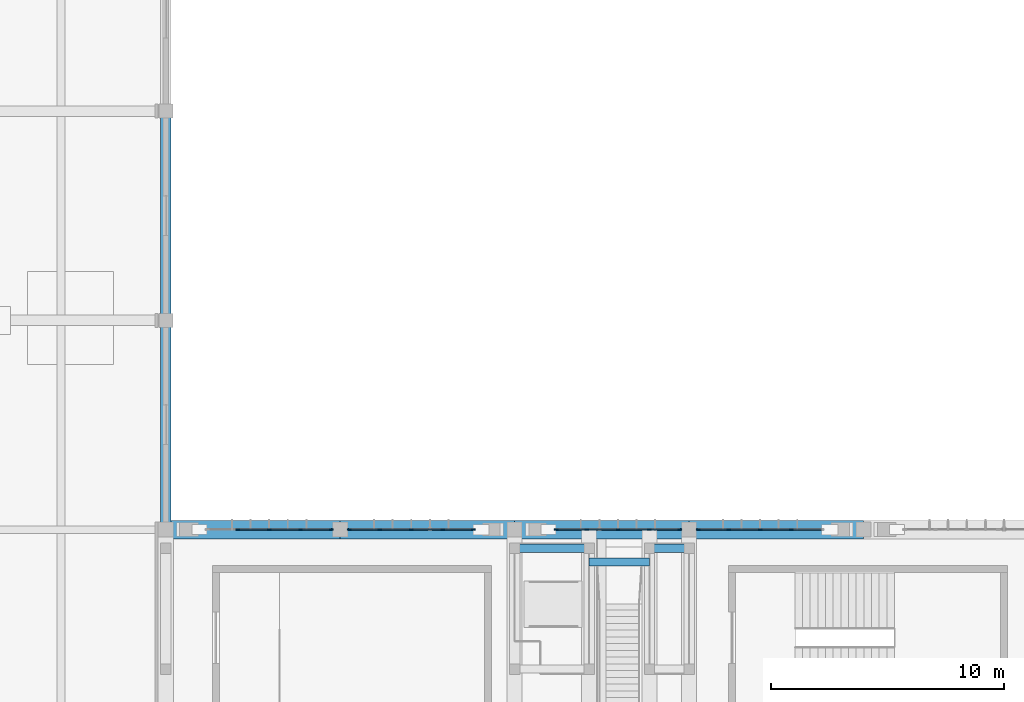
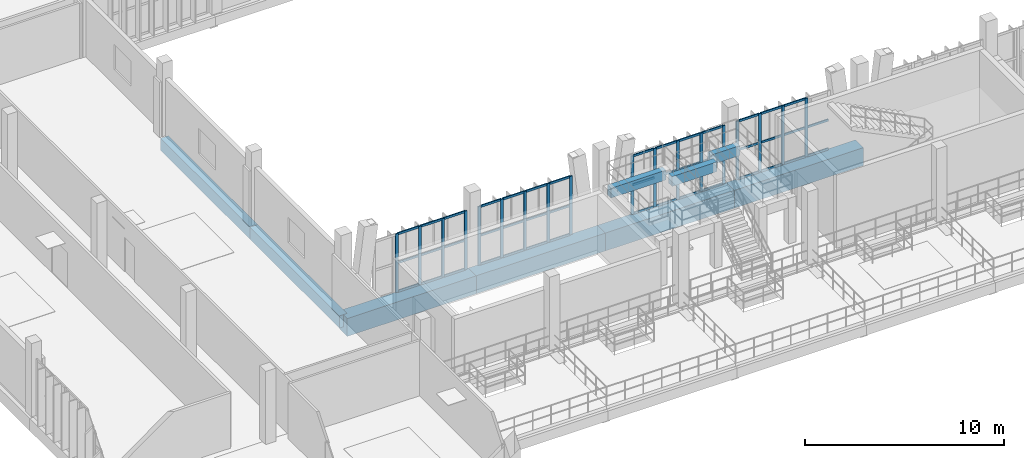
# One storey, part 11 of 81: 62 members, 9 beams, 4 elements without a shape of their own.
"""IFC4 building model written with IfcOpenShell, lengths in metres."""

import ifcopenshell
import ifcopenshell.guid

model = None  # the IFC model being written
_history = None  # IfcOwnerHistory: only IFC2X3 demands one
_inside = {}  # id of a spatial element -> (the spatial element, [elements in it])
_under = {}  # id of a project, library or spatial element -> (it, [spatial elements below it])
_declared = {}  # id of a project -> (the project, [libraries it declares])
_typed = {}  # id of a type object -> (the type object, [elements of that type])
_made_of = {}  # id of a material, layer set ... -> (it, [elements and type objects made of it])


def new_model(schema):
    """Start an empty IFC model of exactly this schema.

    Asked for "IFC4X3", IfcOpenShell would pick the latest addendum, in which some entities
    have other attributes; the version numbers below select the first issue.
    IFC2X3 requires an IfcOwnerHistory on every rooted entity: one is made here for all.
    """
    global model, _history
    if schema == "IFC4X3":
        model = ifcopenshell.file(schema_version=(4, 3, 0, 0))
    else:
        model = ifcopenshell.file(schema=schema)
    _inside.clear()
    _under.clear()
    _declared.clear()
    _typed.clear()
    _made_of.clear()
    _history = None
    if model.schema == "IFC2X3":
        org = make("IfcOrganization", Name="unknown")
        user = make(
            "IfcPersonAndOrganization",
            ThePerson=make("IfcPerson", FamilyName="unknown"),
            TheOrganization=org,
        )
        app = make(
            "IfcApplication",
            ApplicationDeveloper=org,
            Version="unknown",
            ApplicationFullName="unknown",
            ApplicationIdentifier="unknown",
        )
        _history = make(
            "IfcOwnerHistory",
            OwningUser=user,
            OwningApplication=app,
            ChangeAction="ADDED",
            CreationDate=0,
        )
    return model


def make(cls, **values):
    """One entity of the class cls with the attributes given. An attribute that is None is left unset."""
    return model.create_entity(
        cls, **{name: value for name, value in values.items() if value is not None}
    )


def rooted(cls, **values):
    """An entity with a GlobalId (a new one), such as an element, a storey or a relation."""
    return make(cls, GlobalId=ifcopenshell.guid.new(), OwnerHistory=_history, **values)


def si_unit(unit_type, name, prefix=None):
    """IfcSIUnit, for example si_unit("LENGTHUNIT", "METRE", prefix="MILLI")."""
    return make("IfcSIUnit", UnitType=unit_type, Prefix=prefix, Name=name)


def assignment(units):
    """IfcUnitAssignment: the units of a project."""
    return None if units is None else make("IfcUnitAssignment", Units=units)


def point(xyz):
    """IfcCartesianPoint."""
    return None if xyz is None else make("IfcCartesianPoint", Coordinates=xyz)


def direction(xyz):
    """IfcDirection."""
    return None if xyz is None else make("IfcDirection", DirectionRatios=xyz)


def frame(location, z_axis=None, x_axis=None):
    """IfcAxis2Placement3D, a coordinate frame: its origin and axes. An axis left out is left unset."""
    return make(
        "IfcAxis2Placement3D",
        Location=point(location),
        Axis=direction(z_axis),
        RefDirection=direction(x_axis),
    )


def frame_2d(location, x_axis=None):
    """IfcAxis2Placement2D, a coordinate frame in the plane: its origin and x axis."""
    return make(
        "IfcAxis2Placement2D", Location=point(location), RefDirection=direction(x_axis)
    )


def origin():
    """The frame at (0, 0, 0) with its axes left unset."""
    return frame((0.0, 0.0, 0.0))


def origin_2d():
    """The frame at (0, 0) in the plane with its x axis left unset."""
    return frame_2d((0.0, 0.0))


def place(relative_to, where):
    """IfcLocalPlacement: puts the frame where relative to a parent placement (None: the world)."""
    return make(
        "IfcLocalPlacement", PlacementRelTo=relative_to, RelativePlacement=where
    )


def context(
    kind, dimensions, precision=None, world=None, true_north=None, identifier=None
):
    """IfcGeometricRepresentationContext, for example the 3D "Model" context."""
    return make(
        "IfcGeometricRepresentationContext",
        ContextIdentifier=identifier,
        ContextType=kind,
        CoordinateSpaceDimension=dimensions,
        Precision=precision,
        WorldCoordinateSystem=world,
        TrueNorth=true_north,
    )


def subcontext(parent, identifier, kind, view, scale=None):
    """IfcGeometricRepresentationSubContext, for example "Body" below "Model"."""
    return make(
        "IfcGeometricRepresentationSubContext",
        ContextIdentifier=identifier,
        ContextType=kind,
        ParentContext=parent,
        TargetScale=scale,
        TargetView=view,
    )


def project(units=None, contexts=None):
    """IfcProject with its units and contexts."""
    return rooted(
        "IfcProject",
        Name="project",
        RepresentationContexts=contexts,
        UnitsInContext=assignment(units),
    )


def spatial(cls, under=None, at=None, **own):
    """A site, building, storey or space (cls), placed at a placement, below another one or the project."""
    s = rooted(cls, ObjectPlacement=at, **own)
    if under is not None:
        _under.setdefault(under.id(), (under, []))[1].append(s)
    return s


def profile(cls, at=None, kind="AREA", **sizes):
    """A parametric profile (cls). Its sizes go by their IFC names, for example OverallWidth=200.0."""
    return make(cls, ProfileType=kind, Position=at, **sizes)


def rectangle(**sizes):
    """IfcRectangleProfileDef."""
    return profile("IfcRectangleProfileDef", **sizes)


def extrude(swept, where, along, depth):
    """IfcExtrudedAreaSolid: the profile swept, set in the frame where, extruded along a direction by depth."""
    return make(
        "IfcExtrudedAreaSolid",
        SweptArea=swept,
        Position=where,
        ExtrudedDirection=direction(along),
        Depth=depth,
    )


def shape(context_of_items, identifier, shape_type, items):
    """IfcShapeRepresentation: the items that make up one representation, for example the "Body"."""
    return make(
        "IfcShapeRepresentation",
        ContextOfItems=context_of_items,
        RepresentationIdentifier=identifier,
        RepresentationType=shape_type,
        Items=items,
    )


def material(Name=None, Category=None):
    """IfcMaterial."""
    return make("IfcMaterial", Name=Name, Category=Category)


def material_profile(
    of_material, cross_section, Name=None, Category=None, Priority=None
):
    """IfcMaterialProfile: a cross section and its material."""
    return make(
        "IfcMaterialProfile",
        Name=Name,
        Material=of_material,
        Profile=cross_section,
        Priority=Priority,
        Category=Category,
    )


def profile_set(profiles, Name=None, composite=None):
    """IfcMaterialProfileSet."""
    return make(
        "IfcMaterialProfileSet",
        Name=Name,
        MaterialProfiles=profiles,
        CompositeProfile=composite,
    )


def made_of(thing, what):
    """Note that an element or type object is made of a material, layer set ...; save() writes the relation."""
    if what is not None:
        _made_of.setdefault(what.id(), (what, []))[1].append(thing)
    return thing


def type_object(cls, material=None, **own):
    """A type object (cls), such as IfcWallType, which elements share."""
    return made_of(rooted(cls, **own), material)


def element(
    cls,
    number,
    at=None,
    inside=None,
    cuts=None,
    type_object=None,
    material=None,
    context=None,
    identifier="Body",
    shape_type=None,
    held_by="IfcProductDefinitionShape",
    body=None,
    shapes=None,
    **own,
):
    """One element of the class cls, such as IfcWall. Its Tag is "e" and its number.

    at: its placement. inside: the storey or other place that contains it. cuts: it is an
    opening in that element (IfcRelVoidsElement). A single representation is given by context,
    identifier, shape_type and body (its items); several are given by shapes. held_by: the class
    of the entity that holds the representations. save() writes the other relations.
    """
    e = rooted(cls, Tag="e%d" % number, ObjectPlacement=at, **own)
    if body is not None:
        shapes = [shape(context, identifier, shape_type, body)]
    if shapes is not None:
        e.Representation = make(held_by, Representations=shapes)
    if inside is not None:
        _inside.setdefault(inside.id(), (inside, []))[1].append(e)
    if cuts is not None:
        rooted(
            "IfcRelVoidsElement", RelatingBuildingElement=cuts, RelatedOpeningElement=e
        )
    if type_object is not None:
        _typed.setdefault(type_object.id(), (type_object, []))[1].append(e)
    return made_of(e, material)


def aggregate(whole, parts):
    """IfcRelAggregates: a whole, such as a stair, and the parts it consists of."""
    return rooted("IfcRelAggregates", RelatingObject=whole, RelatedObjects=parts)


def save(model, path):
    """Write the relations noted so far, then the file.

    IfcRelAggregates (storeys below a building ...), IfcRelContainedInSpatialStructure (elements
    in a storey), IfcRelDefinesByType, IfcRelAssociatesMaterial and IfcRelDeclares: one each for
    every whole, place, type object, material and project.
    """
    for whole, parts in _under.values():
        aggregate(whole, parts)
    for where, things in _inside.values():
        rooted(
            "IfcRelContainedInSpatialStructure",
            RelatedElements=things,
            RelatingStructure=where,
        )
    for kind, things in _typed.values():
        rooted("IfcRelDefinesByType", RelatedObjects=things, RelatingType=kind)
    for what, things in _made_of.values():
        rooted("IfcRelAssociatesMaterial", RelatedObjects=things, RelatingMaterial=what)
    for by, libraries in _declared.values():
        rooted("IfcRelDeclares", RelatingContext=by, RelatedDefinitions=libraries)
    model.write(path)


model = new_model("IFC4")

# Units and contexts
model_context = context("Model", 3, precision=1e-05, world=origin(), true_north=direction((0.0, 1.0)))
body_context = subcontext(model_context, "Body", "Model", "MODEL_VIEW")
ifc_project = project(units=[si_unit("LENGTHUNIT", "METRE"), si_unit("AREAUNIT", "SQUARE_METRE"), si_unit("VOLUMEUNIT", "CUBIC_METRE"), si_unit("PLANEANGLEUNIT", "RADIAN"), si_unit("MASSUNIT", "GRAM", prefix="KILO")], contexts=[model_context])

# Site, building, storey
site_placement = place(None, origin())
site = spatial("IfcSite", under=ifc_project, at=site_placement, CompositionType="ELEMENT")
building_placement = place(site_placement, origin())
building = spatial("IfcBuilding", under=site, at=building_placement, Name="Vourika Railside Aquatics Centre", CompositionType="ELEMENT")
storey_placement = place(building_placement, frame((0.0, 0.0, 4.800048828125)))
storey = spatial("IfcBuildingStorey", under=building, at=storey_placement, Name="L01", CompositionType="ELEMENT", Elevation=4.800048828125)

# Beams
ifc_material_1 = material(Name="Concrete C35/45", Category="concrete")
ifc_material_profile_1 = material_profile(ifc_material_1, rectangle(XDim=0.449951171875, YDim=0.75, at=origin_2d()), Name="RC 450x750")
ifc_profile_set_1 = profile_set([ifc_material_profile_1], Name="Concrete C35/45")
beam_type_1 = type_object("IfcBeamType", Name="BM-GIRD-450x750", PredefinedType="BEAM", material=ifc_profile_set_1)
for number, where, z_axis, x_axis, name in (
    (1, (36.0, 66.0, -0.675048828125), (0.0, 1.0, 0.0), (-1.0, 0.0, 0.0), "Floor Girder GY-L01-196"),
    (2, (36.0, 75.0, -0.675048828125), (0.0, 1.0, 0.0), (-1.0, 0.0, 0.0), "Floor Girder GY-L01-197"),
):
    element("IfcBeam", number, at=place(storey_placement, frame(where, z_axis=z_axis, x_axis=x_axis)), inside=storey, type_object=beam_type_1, Name=name, PredefinedType="BEAM", context=body_context, shape_type="SweptSolid", body=[
        extrude(rectangle(XDim=0.449951171875, YDim=0.75, at=origin_2d()), origin(), (0.0, 0.0, 1.0), 9.0),
    ])
ifc_material_2 = material(Name="Concrete C40/50", Category="concrete")
ifc_material_profile_2 = material_profile(ifc_material_2, rectangle(XDim=0.800048828125, YDim=1.10009765625, at=origin_2d()), Name="RC 800x1100")
ifc_profile_set_2 = profile_set([ifc_material_profile_2], Name="Concrete C40/50")
beam_type_2 = type_object("IfcBeamType", Name="BM-RING-800x1100", PredefinedType="BEAM", material=ifc_profile_set_2)
for number, where, z_axis, x_axis, name in (
    (3, (36.0, 66.0, -0.85009765625), (1.0, 0.0, 0.0), (0.0, 1.0, 0.0), "Floor Beam GX-L01-080"),
    (4, (43.5, 66.0, -0.85009765625), (1.0, 0.0, 0.0), (0.0, 1.0, 0.0), "Floor Beam GX-L01-081"),
    (5, (51.0, 66.0, -0.85009765625), (1.0, 0.0, 0.0), (0.0, 1.0, 0.0), "Floor Beam GX-L01-082"),
    (6, (58.5, 66.0, -0.85009765625), (1.0, 0.0, 0.0), (0.0, 1.0, 0.0), "Floor Beam GX-L01-083"),
):
    element("IfcBeam", number, at=place(storey_placement, frame(where, z_axis=z_axis, x_axis=x_axis)), inside=storey, type_object=beam_type_2, Name=name, PredefinedType="BEAM", context=body_context, shape_type="SweptSolid", body=[
        extrude(rectangle(XDim=0.800048828125, YDim=1.10009765625, at=origin_2d()), origin(), (0.0, 0.0, 1.0), 7.5),
    ])
ifc_material_profile_3 = material_profile(ifc_material_1, rectangle(XDim=0.35009765625, YDim=0.60009765625, at=origin_2d()), Name="RC 350x600")
ifc_profile_set_3 = profile_set([ifc_material_profile_3], Name="Concrete C35/45")
beam_type_3 = type_object("IfcBeamType", Name="BM-SEC-350x600", PredefinedType="JOIST", material=ifc_profile_set_3)
beam_1_placement = place(storey_placement, frame((54.199951171875, 64.60009765625, 2.454833984375), z_axis=(1.0, 0.0, 0.0), x_axis=(0.0, 1.0, 0.0)))
element("IfcBeam", 7, at=beam_1_placement, inside=storey, type_object=beam_type_3, Name="Vomitory Arrival Landing Beam 54.2-56.8", PredefinedType="JOIST", context=body_context, shape_type="SweptSolid", body=[
    extrude(rectangle(XDim=0.35009765625, YDim=0.60009765625, at=origin_2d()), origin(), (0.0, 0.0, 1.0), 2.60009765625),
])
beam_2_placement = place(storey_placement, frame((51.0, 65.199951171875, 2.5), z_axis=(1.0, 0.0, 0.0), x_axis=(0.0, 1.0, 0.0)))
element("IfcBeam", 8, at=beam_2_placement, inside=storey, type_object=beam_type_3, Name="Upper Stand Rear Beam 51.0-54.2", PredefinedType="JOIST", context=body_context, shape_type="SweptSolid", body=[
    extrude(rectangle(XDim=0.35009765625, YDim=0.60009765625, at=origin_2d()), origin(), (0.0, 0.0, 1.0), 3.199951171875),
])
beam_3_placement = place(storey_placement, frame((56.800048828125, 65.199951171875, 2.5), z_axis=(1.0, 0.0, 0.0), x_axis=(0.0, 1.0, 0.0)))
element("IfcBeam", 9, at=beam_3_placement, inside=storey, type_object=beam_type_3, Name="Upper Stand Rear Beam 56.8-58.5", PredefinedType="JOIST", context=body_context, shape_type="SweptSolid", body=[
    extrude(rectangle(XDim=0.35009765625, YDim=0.60009765625, at=origin_2d()), origin(), (0.0, 0.0, 1.0), 1.699951171875),
])

# Curtain wall, members
ifc_material_3 = material(Name="Anodized thermally broken aluminium", Category="aluminium")
curtain_wall_type = type_object("IfcCurtainWallType", Name="CW-CRT1", PredefinedType="NOTDEFINED", material=ifc_material_3)
curtain_wall_1_placement = place(storey_placement, origin())
curtain_wall_1 = element("IfcCurtainWall", 10, at=curtain_wall_1_placement, inside=storey, type_object=curtain_wall_type, Name="Spectator Concourse Courtyard Curtain Wall 1", PredefinedType="NOTDEFINED")
ifc_material_4 = material(Name="Anodized aluminium mullion", Category="aluminium")
ifc_material_profile_4 = material_profile(ifc_material_4, rectangle(XDim=0.06591796875, YDim=0.16796875, at=origin_2d()), Name="ALU-M 66x168")
ifc_profile_set_4 = profile_set([ifc_material_profile_4], Name="Anodized aluminium mullion")
member_type_1 = type_object("IfcMemberType", Name="CWM-CRT1", PredefinedType="MULLION", material=ifc_profile_set_4)
member_1_placement = place(storey_placement, frame((43.10693359375, 66.0, 0.0), z_axis=(0.0, 0.0, 1.0), x_axis=(0.0, -1.0, 0.0)))
member_1 = element("IfcMember", 11, at=member_1_placement, type_object=member_type_1, Name="CW13 mullion 1", PredefinedType="MULLION", context=body_context, shape_type="SweptSolid", body=[
    extrude(rectangle(XDim=0.06591796875, YDim=0.16796875, at=origin_2d()), origin(), (0.0, 0.0, 1.0), 3.599853515625),
])
member_2_placement = place(storey_placement, frame((41.79248046875, 66.0, 0.0), z_axis=(0.0, 0.0, 1.0), x_axis=(0.0, -1.0, 0.0)))
member_2 = element("IfcMember", 12, at=member_2_placement, type_object=member_type_1, Name="CW13 mullion 2", PredefinedType="MULLION", context=body_context, shape_type="SweptSolid", body=[
    extrude(rectangle(XDim=0.06591796875, YDim=0.16796875, at=origin_2d()), origin(), (0.0, 0.0, 1.0), 3.599853515625),
])
member_3_placement = place(storey_placement, frame((40.445068359375, 66.0, 0.0), z_axis=(0.0, 0.0, 1.0), x_axis=(0.0, -1.0, 0.0)))
member_3 = element("IfcMember", 13, at=member_3_placement, type_object=member_type_1, Name="CW13 mullion 3", PredefinedType="MULLION", context=body_context, shape_type="SweptSolid", body=[
    extrude(rectangle(XDim=0.06591796875, YDim=0.16796875, at=origin_2d()), origin(), (0.0, 0.0, 1.0), 3.599853515625),
])
member_4_placement = place(storey_placement, frame((39.097412109375, 66.0, 0.0), z_axis=(0.0, 0.0, 1.0), x_axis=(0.0, -1.0, 0.0)))
member_4 = element("IfcMember", 14, at=member_4_placement, type_object=member_type_1, Name="CW13 mullion 4", PredefinedType="MULLION", context=body_context, shape_type="SweptSolid", body=[
    extrude(rectangle(XDim=0.06591796875, YDim=0.16796875, at=origin_2d()), origin(), (0.0, 0.0, 1.0), 3.599853515625),
])

curtain_wall_2_placement = place(storey_placement, origin())
curtain_wall_2 = element("IfcCurtainWall", 15, at=curtain_wall_2_placement, inside=storey, type_object=curtain_wall_type, Name="Spectator Concourse Courtyard Curtain Wall 2", PredefinedType="NOTDEFINED")
member_5_placement = place(storey_placement, frame((49.217041015625, 66.0, 0.0), z_axis=(0.0, 0.0, 1.0), x_axis=(0.0, -1.0, 0.0)))
member_5 = element("IfcMember", 16, at=member_5_placement, type_object=member_type_1, Name="CW13 mullion 1", PredefinedType="MULLION", context=body_context, shape_type="SweptSolid", body=[
    extrude(rectangle(XDim=0.06591796875, YDim=0.16796875, at=origin_2d()), origin(), (0.0, 0.0, 1.0), 3.599853515625),
])
member_6_placement = place(storey_placement, frame((47.902587890625, 66.0, 0.0), z_axis=(0.0, 0.0, 1.0), x_axis=(0.0, -1.0, 0.0)))
member_6 = element("IfcMember", 17, at=member_6_placement, type_object=member_type_1, Name="CW13 mullion 2", PredefinedType="MULLION", context=body_context, shape_type="SweptSolid", body=[
    extrude(rectangle(XDim=0.06591796875, YDim=0.16796875, at=origin_2d()), origin(), (0.0, 0.0, 1.0), 3.599853515625),
])
member_7_placement = place(storey_placement, frame((46.554931640625, 66.0, 0.0), z_axis=(0.0, 0.0, 1.0), x_axis=(0.0, -1.0, 0.0)))
member_7 = element("IfcMember", 18, at=member_7_placement, type_object=member_type_1, Name="CW13 mullion 3", PredefinedType="MULLION", context=body_context, shape_type="SweptSolid", body=[
    extrude(rectangle(XDim=0.06591796875, YDim=0.16796875, at=origin_2d()), origin(), (0.0, 0.0, 1.0), 3.599853515625),
])
member_8_placement = place(storey_placement, frame((45.20751953125, 66.0, 0.0), z_axis=(0.0, 0.0, 1.0), x_axis=(0.0, -1.0, 0.0)))
member_8 = element("IfcMember", 19, at=member_8_placement, type_object=member_type_1, Name="CW13 mullion 4", PredefinedType="MULLION", context=body_context, shape_type="SweptSolid", body=[
    extrude(rectangle(XDim=0.06591796875, YDim=0.16796875, at=origin_2d()), origin(), (0.0, 0.0, 1.0), 3.599853515625),
])
member_9_placement = place(storey_placement, frame((43.89306640625, 66.0, 0.0), z_axis=(0.0, 0.0, 1.0), x_axis=(0.0, -1.0, 0.0)))
member_9 = element("IfcMember", 20, at=member_9_placement, type_object=member_type_1, Name="CW13 mullion 5", PredefinedType="MULLION", context=body_context, shape_type="SweptSolid", body=[
    extrude(rectangle(XDim=0.06591796875, YDim=0.16796875, at=origin_2d()), origin(), (0.0, 0.0, 1.0), 3.599853515625),
])

curtain_wall_3_placement = place(storey_placement, origin())
curtain_wall_3 = element("IfcCurtainWall", 21, at=curtain_wall_3_placement, inside=storey, type_object=curtain_wall_type, Name="Spectator Concourse Courtyard Curtain Wall 3", PredefinedType="NOTDEFINED")
member_10_placement = place(storey_placement, frame((58.10693359375, 66.0, 0.0), z_axis=(0.0, 0.0, 1.0), x_axis=(0.0, -1.0, 0.0)))
member_10 = element("IfcMember", 22, at=member_10_placement, type_object=member_type_1, Name="CW13 mullion 1", PredefinedType="MULLION", context=body_context, shape_type="SweptSolid", body=[
    extrude(rectangle(XDim=0.06591796875, YDim=0.16796875, at=origin_2d()), origin(), (0.0, 0.0, 1.0), 3.599853515625),
])
member_11_placement = place(storey_placement, frame((56.79248046875, 66.0, 0.0), z_axis=(0.0, 0.0, 1.0), x_axis=(0.0, -1.0, 0.0)))
member_11 = element("IfcMember", 23, at=member_11_placement, type_object=member_type_1, Name="CW13 mullion 2", PredefinedType="MULLION", context=body_context, shape_type="SweptSolid", body=[
    extrude(rectangle(XDim=0.06591796875, YDim=0.16796875, at=origin_2d()), origin(), (0.0, 0.0, 1.0), 3.599853515625),
])
member_12_placement = place(storey_placement, frame((55.445068359375, 66.0, 0.0), z_axis=(0.0, 0.0, 1.0), x_axis=(0.0, -1.0, 0.0)))
member_12 = element("IfcMember", 24, at=member_12_placement, type_object=member_type_1, Name="CW13 mullion 3", PredefinedType="MULLION", context=body_context, shape_type="SweptSolid", body=[
    extrude(rectangle(XDim=0.06591796875, YDim=0.16796875, at=origin_2d()), origin(), (0.0, 0.0, 1.0), 3.599853515625),
])
member_13_placement = place(storey_placement, frame((54.097412109375, 66.0, 0.0), z_axis=(0.0, 0.0, 1.0), x_axis=(0.0, -1.0, 0.0)))
member_13 = element("IfcMember", 25, at=member_13_placement, type_object=member_type_1, Name="CW13 mullion 4", PredefinedType="MULLION", context=body_context, shape_type="SweptSolid", body=[
    extrude(rectangle(XDim=0.06591796875, YDim=0.16796875, at=origin_2d()), origin(), (0.0, 0.0, 1.0), 3.599853515625),
])
member_14_placement = place(storey_placement, frame((52.782958984375, 66.0, 0.0), z_axis=(0.0, 0.0, 1.0), x_axis=(0.0, -1.0, 0.0)))
member_14 = element("IfcMember", 26, at=member_14_placement, type_object=member_type_1, Name="CW13 mullion 5", PredefinedType="MULLION", context=body_context, shape_type="SweptSolid", body=[
    extrude(rectangle(XDim=0.06591796875, YDim=0.16796875, at=origin_2d()), origin(), (0.0, 0.0, 1.0), 3.599853515625),
])

curtain_wall_4_placement = place(storey_placement, origin())
curtain_wall_4 = element("IfcCurtainWall", 27, at=curtain_wall_4_placement, inside=storey, type_object=curtain_wall_type, Name="Spectator Concourse Courtyard Curtain Wall 4", PredefinedType="NOTDEFINED")
member_15_placement = place(storey_placement, frame((62.902587890625, 66.0, 0.0), z_axis=(0.0, 0.0, 1.0), x_axis=(0.0, -1.0, 0.0)))
member_15 = element("IfcMember", 28, at=member_15_placement, type_object=member_type_1, Name="CW13 mullion 2", PredefinedType="MULLION", context=body_context, shape_type="SweptSolid", body=[
    extrude(rectangle(XDim=0.06591796875, YDim=0.16796875, at=origin_2d()), origin(), (0.0, 0.0, 1.0), 3.599853515625),
])
member_16_placement = place(storey_placement, frame((61.554931640625, 66.0, 0.0), z_axis=(0.0, 0.0, 1.0), x_axis=(0.0, -1.0, 0.0)))
member_16 = element("IfcMember", 29, at=member_16_placement, type_object=member_type_1, Name="CW13 mullion 3", PredefinedType="MULLION", context=body_context, shape_type="SweptSolid", body=[
    extrude(rectangle(XDim=0.06591796875, YDim=0.16796875, at=origin_2d()), origin(), (0.0, 0.0, 1.0), 3.599853515625),
])
member_17_placement = place(storey_placement, frame((60.20751953125, 66.0, 0.0), z_axis=(0.0, 0.0, 1.0), x_axis=(0.0, -1.0, 0.0)))
member_17 = element("IfcMember", 30, at=member_17_placement, type_object=member_type_1, Name="CW13 mullion 4", PredefinedType="MULLION", context=body_context, shape_type="SweptSolid", body=[
    extrude(rectangle(XDim=0.06591796875, YDim=0.16796875, at=origin_2d()), origin(), (0.0, 0.0, 1.0), 3.599853515625),
])
member_18_placement = place(storey_placement, frame((58.89306640625, 66.0, 0.0), z_axis=(0.0, 0.0, 1.0), x_axis=(0.0, -1.0, 0.0)))
member_18 = element("IfcMember", 31, at=member_18_placement, type_object=member_type_1, Name="CW13 mullion 5", PredefinedType="MULLION", context=body_context, shape_type="SweptSolid", body=[
    extrude(rectangle(XDim=0.06591796875, YDim=0.16796875, at=origin_2d()), origin(), (0.0, 0.0, 1.0), 3.599853515625),
])

# Member
ifc_material_5 = material(Name="Anodized aluminium transom", Category="aluminium")
ifc_material_profile_5 = material_profile(ifc_material_5, rectangle(XDim=0.06591796875, YDim=0.132080078125, at=origin_2d()), Name="ALU-T 66x132")
ifc_profile_set_5 = profile_set([ifc_material_profile_5], Name="Anodized aluminium transom")
member_type_2 = type_object("IfcMemberType", Name="CWT-CRT1", PredefinedType="USERDEFINED", material=ifc_profile_set_5)
member_19_placement = place(storey_placement, frame((43.073974609375, 66.0, 0.032958984375), z_axis=(-1.0, 0.0, 0.0), x_axis=(0.0, -1.0, 0.0)))
member_19 = element("IfcMember", 32, at=member_19_placement, type_object=member_type_2, Name="CW13 transom 1.1", ObjectType="TRANSOM", PredefinedType="USERDEFINED", context=body_context, shape_type="SweptSolid", body=[
    extrude(rectangle(XDim=0.06591796875, YDim=0.132080078125, at=origin_2d()), origin(), (0.0, 0.0, 1.0), 1.24853515625),
])

member_20_placement = place(storey_placement, frame((43.073974609375, 66.0, 1.800048828125), z_axis=(-1.0, 0.0, 0.0), x_axis=(0.0, -1.0, 0.0)))
member_20 = element("IfcMember", 33, at=member_20_placement, type_object=member_type_2, Name="CW13 transom 1.2", ObjectType="TRANSOM", PredefinedType="USERDEFINED", context=body_context, shape_type="SweptSolid", body=[
    extrude(rectangle(XDim=0.06591796875, YDim=0.132080078125, at=origin_2d()), origin(), (0.0, 0.0, 1.0), 1.24853515625),
])

member_21_placement = place(storey_placement, frame((43.073974609375, 66.0, 3.56689453125), z_axis=(-1.0, 0.0, 0.0), x_axis=(0.0, -1.0, 0.0)))
member_21 = element("IfcMember", 34, at=member_21_placement, type_object=member_type_2, Name="CW13 transom 1.3", ObjectType="TRANSOM", PredefinedType="USERDEFINED", context=body_context, shape_type="SweptSolid", body=[
    extrude(rectangle(XDim=0.06591796875, YDim=0.132080078125, at=origin_2d()), origin(), (0.0, 0.0, 1.0), 1.24853515625),
])

member_22_placement = place(storey_placement, frame((41.759521484375, 66.0, 0.032958984375), z_axis=(-1.0, 0.0, 0.0), x_axis=(0.0, -1.0, 0.0)))
member_22 = element("IfcMember", 35, at=member_22_placement, type_object=member_type_2, Name="CW13 transom 2.1", ObjectType="TRANSOM", PredefinedType="USERDEFINED", context=body_context, shape_type="SweptSolid", body=[
    extrude(rectangle(XDim=0.06591796875, YDim=0.132080078125, at=origin_2d()), origin(), (0.0, 0.0, 1.0), 1.281494140625),
])

member_23_placement = place(storey_placement, frame((41.759521484375, 66.0, 1.800048828125), z_axis=(-1.0, 0.0, 0.0), x_axis=(0.0, -1.0, 0.0)))
member_23 = element("IfcMember", 36, at=member_23_placement, type_object=member_type_2, Name="CW13 transom 2.2", ObjectType="TRANSOM", PredefinedType="USERDEFINED", context=body_context, shape_type="SweptSolid", body=[
    extrude(rectangle(XDim=0.06591796875, YDim=0.132080078125, at=origin_2d()), origin(), (0.0, 0.0, 1.0), 1.281494140625),
])

member_24_placement = place(storey_placement, frame((41.759521484375, 66.0, 3.56689453125), z_axis=(-1.0, 0.0, 0.0), x_axis=(0.0, -1.0, 0.0)))
member_24 = element("IfcMember", 37, at=member_24_placement, type_object=member_type_2, Name="CW13 transom 2.3", ObjectType="TRANSOM", PredefinedType="USERDEFINED", context=body_context, shape_type="SweptSolid", body=[
    extrude(rectangle(XDim=0.06591796875, YDim=0.132080078125, at=origin_2d()), origin(), (0.0, 0.0, 1.0), 1.281494140625),
])

member_25_placement = place(storey_placement, frame((40.412109375, 66.0, 0.032958984375), z_axis=(-1.0, 0.0, 0.0), x_axis=(0.0, -1.0, 0.0)))
member_25 = element("IfcMember", 38, at=member_25_placement, type_object=member_type_2, Name="CW13 transom 3.1", ObjectType="TRANSOM", PredefinedType="USERDEFINED", context=body_context, shape_type="SweptSolid", body=[
    extrude(rectangle(XDim=0.06591796875, YDim=0.132080078125, at=origin_2d()), origin(), (0.0, 0.0, 1.0), 1.281494140625),
])

member_26_placement = place(storey_placement, frame((40.412109375, 66.0, 1.800048828125), z_axis=(-1.0, 0.0, 0.0), x_axis=(0.0, -1.0, 0.0)))
member_26 = element("IfcMember", 39, at=member_26_placement, type_object=member_type_2, Name="CW13 transom 3.2", ObjectType="TRANSOM", PredefinedType="USERDEFINED", context=body_context, shape_type="SweptSolid", body=[
    extrude(rectangle(XDim=0.06591796875, YDim=0.132080078125, at=origin_2d()), origin(), (0.0, 0.0, 1.0), 1.281494140625),
])

member_27_placement = place(storey_placement, frame((40.412109375, 66.0, 3.56689453125), z_axis=(-1.0, 0.0, 0.0), x_axis=(0.0, -1.0, 0.0)))
member_27 = element("IfcMember", 40, at=member_27_placement, type_object=member_type_2, Name="CW13 transom 3.3", ObjectType="TRANSOM", PredefinedType="USERDEFINED", context=body_context, shape_type="SweptSolid", body=[
    extrude(rectangle(XDim=0.06591796875, YDim=0.132080078125, at=origin_2d()), origin(), (0.0, 0.0, 1.0), 1.281494140625),
])

aggregate(curtain_wall_1, [member_1, member_2, member_3, member_4, member_19, member_20, member_21, member_22, member_23, member_24, member_25, member_26, member_27])

member_28_placement = place(storey_placement, frame((49.18408203125, 66.0, 0.032958984375), z_axis=(-1.0, 0.0, 0.0), x_axis=(0.0, -1.0, 0.0)))
member_28 = element("IfcMember", 41, at=member_28_placement, type_object=member_type_2, Name="CW13 transom 1.1", ObjectType="TRANSOM", PredefinedType="USERDEFINED", context=body_context, shape_type="SweptSolid", body=[
    extrude(rectangle(XDim=0.06591796875, YDim=0.132080078125, at=origin_2d()), origin(), (0.0, 0.0, 1.0), 1.24853515625),
])

member_29_placement = place(storey_placement, frame((49.18408203125, 66.0, 1.800048828125), z_axis=(-1.0, 0.0, 0.0), x_axis=(0.0, -1.0, 0.0)))
member_29 = element("IfcMember", 42, at=member_29_placement, type_object=member_type_2, Name="CW13 transom 1.2", ObjectType="TRANSOM", PredefinedType="USERDEFINED", context=body_context, shape_type="SweptSolid", body=[
    extrude(rectangle(XDim=0.06591796875, YDim=0.132080078125, at=origin_2d()), origin(), (0.0, 0.0, 1.0), 1.24853515625),
])

member_30_placement = place(storey_placement, frame((49.18408203125, 66.0, 3.56689453125), z_axis=(-1.0, 0.0, 0.0), x_axis=(0.0, -1.0, 0.0)))
member_30 = element("IfcMember", 43, at=member_30_placement, type_object=member_type_2, Name="CW13 transom 1.3", ObjectType="TRANSOM", PredefinedType="USERDEFINED", context=body_context, shape_type="SweptSolid", body=[
    extrude(rectangle(XDim=0.06591796875, YDim=0.132080078125, at=origin_2d()), origin(), (0.0, 0.0, 1.0), 1.24853515625),
])

member_31_placement = place(storey_placement, frame((47.869384765625, 66.0, 0.032958984375), z_axis=(-1.0, 0.0, 0.0), x_axis=(0.0, -1.0, 0.0)))
member_31 = element("IfcMember", 44, at=member_31_placement, type_object=member_type_2, Name="CW13 transom 2.1", ObjectType="TRANSOM", PredefinedType="USERDEFINED", context=body_context, shape_type="SweptSolid", body=[
    extrude(rectangle(XDim=0.06591796875, YDim=0.132080078125, at=origin_2d()), origin(), (0.0, 0.0, 1.0), 1.281494140625),
])

member_32_placement = place(storey_placement, frame((47.869384765625, 66.0, 1.800048828125), z_axis=(-1.0, 0.0, 0.0), x_axis=(0.0, -1.0, 0.0)))
member_32 = element("IfcMember", 45, at=member_32_placement, type_object=member_type_2, Name="CW13 transom 2.2", ObjectType="TRANSOM", PredefinedType="USERDEFINED", context=body_context, shape_type="SweptSolid", body=[
    extrude(rectangle(XDim=0.06591796875, YDim=0.132080078125, at=origin_2d()), origin(), (0.0, 0.0, 1.0), 1.281494140625),
])

member_33_placement = place(storey_placement, frame((47.869384765625, 66.0, 3.56689453125), z_axis=(-1.0, 0.0, 0.0), x_axis=(0.0, -1.0, 0.0)))
member_33 = element("IfcMember", 46, at=member_33_placement, type_object=member_type_2, Name="CW13 transom 2.3", ObjectType="TRANSOM", PredefinedType="USERDEFINED", context=body_context, shape_type="SweptSolid", body=[
    extrude(rectangle(XDim=0.06591796875, YDim=0.132080078125, at=origin_2d()), origin(), (0.0, 0.0, 1.0), 1.281494140625),
])

member_34_placement = place(storey_placement, frame((46.52197265625, 66.0, 0.032958984375), z_axis=(-1.0, 0.0, 0.0), x_axis=(0.0, -1.0, 0.0)))
member_34 = element("IfcMember", 47, at=member_34_placement, type_object=member_type_2, Name="CW13 transom 3.1", ObjectType="TRANSOM", PredefinedType="USERDEFINED", context=body_context, shape_type="SweptSolid", body=[
    extrude(rectangle(XDim=0.06591796875, YDim=0.132080078125, at=origin_2d()), origin(), (0.0, 0.0, 1.0), 1.281494140625),
])

member_35_placement = place(storey_placement, frame((46.52197265625, 66.0, 1.800048828125), z_axis=(-1.0, 0.0, 0.0), x_axis=(0.0, -1.0, 0.0)))
member_35 = element("IfcMember", 48, at=member_35_placement, type_object=member_type_2, Name="CW13 transom 3.2", ObjectType="TRANSOM", PredefinedType="USERDEFINED", context=body_context, shape_type="SweptSolid", body=[
    extrude(rectangle(XDim=0.06591796875, YDim=0.132080078125, at=origin_2d()), origin(), (0.0, 0.0, 1.0), 1.281494140625),
])

member_36_placement = place(storey_placement, frame((46.52197265625, 66.0, 3.56689453125), z_axis=(-1.0, 0.0, 0.0), x_axis=(0.0, -1.0, 0.0)))
member_36 = element("IfcMember", 49, at=member_36_placement, type_object=member_type_2, Name="CW13 transom 3.3", ObjectType="TRANSOM", PredefinedType="USERDEFINED", context=body_context, shape_type="SweptSolid", body=[
    extrude(rectangle(XDim=0.06591796875, YDim=0.132080078125, at=origin_2d()), origin(), (0.0, 0.0, 1.0), 1.281494140625),
])

member_37_placement = place(storey_placement, frame((45.174560546875, 66.0, 0.032958984375), z_axis=(-1.0, 0.0, 0.0), x_axis=(0.0, -1.0, 0.0)))
member_37 = element("IfcMember", 50, at=member_37_placement, type_object=member_type_2, Name="CW13 transom 4.1", ObjectType="TRANSOM", PredefinedType="USERDEFINED", context=body_context, shape_type="SweptSolid", body=[
    extrude(rectangle(XDim=0.06591796875, YDim=0.132080078125, at=origin_2d()), origin(), (0.0, 0.0, 1.0), 1.24853515625),
])

member_38_placement = place(storey_placement, frame((45.174560546875, 66.0, 1.800048828125), z_axis=(-1.0, 0.0, 0.0), x_axis=(0.0, -1.0, 0.0)))
member_38 = element("IfcMember", 51, at=member_38_placement, type_object=member_type_2, Name="CW13 transom 4.2", ObjectType="TRANSOM", PredefinedType="USERDEFINED", context=body_context, shape_type="SweptSolid", body=[
    extrude(rectangle(XDim=0.06591796875, YDim=0.132080078125, at=origin_2d()), origin(), (0.0, 0.0, 1.0), 1.24853515625),
])

member_39_placement = place(storey_placement, frame((45.174560546875, 66.0, 3.56689453125), z_axis=(-1.0, 0.0, 0.0), x_axis=(0.0, -1.0, 0.0)))
member_39 = element("IfcMember", 52, at=member_39_placement, type_object=member_type_2, Name="CW13 transom 4.3", ObjectType="TRANSOM", PredefinedType="USERDEFINED", context=body_context, shape_type="SweptSolid", body=[
    extrude(rectangle(XDim=0.06591796875, YDim=0.132080078125, at=origin_2d()), origin(), (0.0, 0.0, 1.0), 1.24853515625),
])

aggregate(curtain_wall_2, [member_5, member_6, member_7, member_8, member_9, member_28, member_29, member_30, member_31, member_32, member_33, member_34, member_35, member_36, member_37, member_38, member_39])

member_40_placement = place(storey_placement, frame((58.073974609375, 66.0, 0.032958984375), z_axis=(-1.0, 0.0, 0.0), x_axis=(0.0, -1.0, 0.0)))
member_40 = element("IfcMember", 53, at=member_40_placement, type_object=member_type_2, Name="CW13 transom 1.1", ObjectType="TRANSOM", PredefinedType="USERDEFINED", context=body_context, shape_type="SweptSolid", body=[
    extrude(rectangle(XDim=0.06591796875, YDim=0.132080078125, at=origin_2d()), origin(), (0.0, 0.0, 1.0), 1.24853515625),
])

member_41_placement = place(storey_placement, frame((58.073974609375, 66.0, 1.800048828125), z_axis=(-1.0, 0.0, 0.0), x_axis=(0.0, -1.0, 0.0)))
member_41 = element("IfcMember", 54, at=member_41_placement, type_object=member_type_2, Name="CW13 transom 1.2", ObjectType="TRANSOM", PredefinedType="USERDEFINED", context=body_context, shape_type="SweptSolid", body=[
    extrude(rectangle(XDim=0.06591796875, YDim=0.132080078125, at=origin_2d()), origin(), (0.0, 0.0, 1.0), 1.24853515625),
])

member_42_placement = place(storey_placement, frame((58.073974609375, 66.0, 3.56689453125), z_axis=(-1.0, 0.0, 0.0), x_axis=(0.0, -1.0, 0.0)))
member_42 = element("IfcMember", 55, at=member_42_placement, type_object=member_type_2, Name="CW13 transom 1.3", ObjectType="TRANSOM", PredefinedType="USERDEFINED", context=body_context, shape_type="SweptSolid", body=[
    extrude(rectangle(XDim=0.06591796875, YDim=0.132080078125, at=origin_2d()), origin(), (0.0, 0.0, 1.0), 1.24853515625),
])

member_43_placement = place(storey_placement, frame((56.759521484375, 66.0, 0.032958984375), z_axis=(-1.0, 0.0, 0.0), x_axis=(0.0, -1.0, 0.0)))
member_43 = element("IfcMember", 56, at=member_43_placement, type_object=member_type_2, Name="CW13 transom 2.1", ObjectType="TRANSOM", PredefinedType="USERDEFINED", context=body_context, shape_type="SweptSolid", body=[
    extrude(rectangle(XDim=0.06591796875, YDim=0.132080078125, at=origin_2d()), origin(), (0.0, 0.0, 1.0), 1.281494140625),
])

member_44_placement = place(storey_placement, frame((56.759521484375, 66.0, 1.800048828125), z_axis=(-1.0, 0.0, 0.0), x_axis=(0.0, -1.0, 0.0)))
member_44 = element("IfcMember", 57, at=member_44_placement, type_object=member_type_2, Name="CW13 transom 2.2", ObjectType="TRANSOM", PredefinedType="USERDEFINED", context=body_context, shape_type="SweptSolid", body=[
    extrude(rectangle(XDim=0.06591796875, YDim=0.132080078125, at=origin_2d()), origin(), (0.0, 0.0, 1.0), 1.281494140625),
])

member_45_placement = place(storey_placement, frame((56.759521484375, 66.0, 3.56689453125), z_axis=(-1.0, 0.0, 0.0), x_axis=(0.0, -1.0, 0.0)))
member_45 = element("IfcMember", 58, at=member_45_placement, type_object=member_type_2, Name="CW13 transom 2.3", ObjectType="TRANSOM", PredefinedType="USERDEFINED", context=body_context, shape_type="SweptSolid", body=[
    extrude(rectangle(XDim=0.06591796875, YDim=0.132080078125, at=origin_2d()), origin(), (0.0, 0.0, 1.0), 1.281494140625),
])

member_46_placement = place(storey_placement, frame((55.412109375, 66.0, 0.032958984375), z_axis=(-1.0, 0.0, 0.0), x_axis=(0.0, -1.0, 0.0)))
member_46 = element("IfcMember", 59, at=member_46_placement, type_object=member_type_2, Name="CW13 transom 3.1", ObjectType="TRANSOM", PredefinedType="USERDEFINED", context=body_context, shape_type="SweptSolid", body=[
    extrude(rectangle(XDim=0.06591796875, YDim=0.132080078125, at=origin_2d()), origin(), (0.0, 0.0, 1.0), 1.281494140625),
])

member_47_placement = place(storey_placement, frame((55.412109375, 66.0, 1.800048828125), z_axis=(-1.0, 0.0, 0.0), x_axis=(0.0, -1.0, 0.0)))
member_47 = element("IfcMember", 60, at=member_47_placement, type_object=member_type_2, Name="CW13 transom 3.2", ObjectType="TRANSOM", PredefinedType="USERDEFINED", context=body_context, shape_type="SweptSolid", body=[
    extrude(rectangle(XDim=0.06591796875, YDim=0.132080078125, at=origin_2d()), origin(), (0.0, 0.0, 1.0), 1.281494140625),
])

member_48_placement = place(storey_placement, frame((55.412109375, 66.0, 3.56689453125), z_axis=(-1.0, 0.0, 0.0), x_axis=(0.0, -1.0, 0.0)))
member_48 = element("IfcMember", 61, at=member_48_placement, type_object=member_type_2, Name="CW13 transom 3.3", ObjectType="TRANSOM", PredefinedType="USERDEFINED", context=body_context, shape_type="SweptSolid", body=[
    extrude(rectangle(XDim=0.06591796875, YDim=0.132080078125, at=origin_2d()), origin(), (0.0, 0.0, 1.0), 1.281494140625),
])

member_49_placement = place(storey_placement, frame((54.064453125, 66.0, 0.032958984375), z_axis=(-1.0, 0.0, 0.0), x_axis=(0.0, -1.0, 0.0)))
member_49 = element("IfcMember", 62, at=member_49_placement, type_object=member_type_2, Name="CW13 transom 4.1", ObjectType="TRANSOM", PredefinedType="USERDEFINED", context=body_context, shape_type="SweptSolid", body=[
    extrude(rectangle(XDim=0.06591796875, YDim=0.132080078125, at=origin_2d()), origin(), (0.0, 0.0, 1.0), 1.24853515625),
])

member_50_placement = place(storey_placement, frame((54.064453125, 66.0, 1.800048828125), z_axis=(-1.0, 0.0, 0.0), x_axis=(0.0, -1.0, 0.0)))
member_50 = element("IfcMember", 63, at=member_50_placement, type_object=member_type_2, Name="CW13 transom 4.2", ObjectType="TRANSOM", PredefinedType="USERDEFINED", context=body_context, shape_type="SweptSolid", body=[
    extrude(rectangle(XDim=0.06591796875, YDim=0.132080078125, at=origin_2d()), origin(), (0.0, 0.0, 1.0), 1.24853515625),
])

member_51_placement = place(storey_placement, frame((54.064453125, 66.0, 3.56689453125), z_axis=(-1.0, 0.0, 0.0), x_axis=(0.0, -1.0, 0.0)))
member_51 = element("IfcMember", 64, at=member_51_placement, type_object=member_type_2, Name="CW13 transom 4.3", ObjectType="TRANSOM", PredefinedType="USERDEFINED", context=body_context, shape_type="SweptSolid", body=[
    extrude(rectangle(XDim=0.06591796875, YDim=0.132080078125, at=origin_2d()), origin(), (0.0, 0.0, 1.0), 1.24853515625),
])

aggregate(curtain_wall_3, [member_10, member_11, member_12, member_13, member_14, member_40, member_41, member_42, member_43, member_44, member_45, member_46, member_47, member_48, member_49, member_50, member_51])

member_52_placement = place(storey_placement, frame((64.18408203125, 66.0, 0.032958984375), z_axis=(-1.0, 0.0, 0.0), x_axis=(0.0, -1.0, 0.0)))
member_52 = element("IfcMember", 65, at=member_52_placement, type_object=member_type_2, Name="CW13 transom 1.1", ObjectType="TRANSOM", PredefinedType="USERDEFINED", context=body_context, shape_type="SweptSolid", body=[
    extrude(rectangle(XDim=0.06591796875, YDim=0.132080078125, at=origin_2d()), origin(), (0.0, 0.0, 1.0), 1.24853515625),
])

member_53_placement = place(storey_placement, frame((64.18408203125, 66.0, 1.800048828125), z_axis=(-1.0, 0.0, 0.0), x_axis=(0.0, -1.0, 0.0)))
member_53 = element("IfcMember", 66, at=member_53_placement, type_object=member_type_2, Name="CW13 transom 1.2", ObjectType="TRANSOM", PredefinedType="USERDEFINED", context=body_context, shape_type="SweptSolid", body=[
    extrude(rectangle(XDim=0.06591796875, YDim=0.132080078125, at=origin_2d()), origin(), (0.0, 0.0, 1.0), 1.24853515625),
])

member_54_placement = place(storey_placement, frame((62.869384765625, 66.0, 0.032958984375), z_axis=(-1.0, 0.0, 0.0), x_axis=(0.0, -1.0, 0.0)))
member_54 = element("IfcMember", 67, at=member_54_placement, type_object=member_type_2, Name="CW13 transom 2.1", ObjectType="TRANSOM", PredefinedType="USERDEFINED", context=body_context, shape_type="SweptSolid", body=[
    extrude(rectangle(XDim=0.06591796875, YDim=0.132080078125, at=origin_2d()), origin(), (0.0, 0.0, 1.0), 1.281494140625),
])

member_55_placement = place(storey_placement, frame((62.869384765625, 66.0, 1.800048828125), z_axis=(-1.0, 0.0, 0.0), x_axis=(0.0, -1.0, 0.0)))
member_55 = element("IfcMember", 68, at=member_55_placement, type_object=member_type_2, Name="CW13 transom 2.2", ObjectType="TRANSOM", PredefinedType="USERDEFINED", context=body_context, shape_type="SweptSolid", body=[
    extrude(rectangle(XDim=0.06591796875, YDim=0.132080078125, at=origin_2d()), origin(), (0.0, 0.0, 1.0), 1.281494140625),
])

member_56_placement = place(storey_placement, frame((62.869384765625, 66.0, 3.56689453125), z_axis=(-1.0, 0.0, 0.0), x_axis=(0.0, -1.0, 0.0)))
member_56 = element("IfcMember", 69, at=member_56_placement, type_object=member_type_2, Name="CW13 transom 2.3", ObjectType="TRANSOM", PredefinedType="USERDEFINED", context=body_context, shape_type="SweptSolid", body=[
    extrude(rectangle(XDim=0.06591796875, YDim=0.132080078125, at=origin_2d()), origin(), (0.0, 0.0, 1.0), 1.281494140625),
])

member_57_placement = place(storey_placement, frame((61.52197265625, 66.0, 0.032958984375), z_axis=(-1.0, 0.0, 0.0), x_axis=(0.0, -1.0, 0.0)))
member_57 = element("IfcMember", 70, at=member_57_placement, type_object=member_type_2, Name="CW13 transom 3.1", ObjectType="TRANSOM", PredefinedType="USERDEFINED", context=body_context, shape_type="SweptSolid", body=[
    extrude(rectangle(XDim=0.06591796875, YDim=0.132080078125, at=origin_2d()), origin(), (0.0, 0.0, 1.0), 1.281494140625),
])

member_58_placement = place(storey_placement, frame((61.52197265625, 66.0, 1.800048828125), z_axis=(-1.0, 0.0, 0.0), x_axis=(0.0, -1.0, 0.0)))
member_58 = element("IfcMember", 71, at=member_58_placement, type_object=member_type_2, Name="CW13 transom 3.2", ObjectType="TRANSOM", PredefinedType="USERDEFINED", context=body_context, shape_type="SweptSolid", body=[
    extrude(rectangle(XDim=0.06591796875, YDim=0.132080078125, at=origin_2d()), origin(), (0.0, 0.0, 1.0), 1.281494140625),
])

member_59_placement = place(storey_placement, frame((61.52197265625, 66.0, 3.56689453125), z_axis=(-1.0, 0.0, 0.0), x_axis=(0.0, -1.0, 0.0)))
member_59 = element("IfcMember", 72, at=member_59_placement, type_object=member_type_2, Name="CW13 transom 3.3", ObjectType="TRANSOM", PredefinedType="USERDEFINED", context=body_context, shape_type="SweptSolid", body=[
    extrude(rectangle(XDim=0.06591796875, YDim=0.132080078125, at=origin_2d()), origin(), (0.0, 0.0, 1.0), 1.281494140625),
])

member_60_placement = place(storey_placement, frame((60.174560546875, 66.0, 0.032958984375), z_axis=(-1.0, 0.0, 0.0), x_axis=(0.0, -1.0, 0.0)))
member_60 = element("IfcMember", 73, at=member_60_placement, type_object=member_type_2, Name="CW13 transom 4.1", ObjectType="TRANSOM", PredefinedType="USERDEFINED", context=body_context, shape_type="SweptSolid", body=[
    extrude(rectangle(XDim=0.06591796875, YDim=0.132080078125, at=origin_2d()), origin(), (0.0, 0.0, 1.0), 1.24853515625),
])

member_61_placement = place(storey_placement, frame((60.174560546875, 66.0, 1.800048828125), z_axis=(-1.0, 0.0, 0.0), x_axis=(0.0, -1.0, 0.0)))
member_61 = element("IfcMember", 74, at=member_61_placement, type_object=member_type_2, Name="CW13 transom 4.2", ObjectType="TRANSOM", PredefinedType="USERDEFINED", context=body_context, shape_type="SweptSolid", body=[
    extrude(rectangle(XDim=0.06591796875, YDim=0.132080078125, at=origin_2d()), origin(), (0.0, 0.0, 1.0), 1.24853515625),
])

member_62_placement = place(storey_placement, frame((60.174560546875, 66.0, 3.56689453125), z_axis=(-1.0, 0.0, 0.0), x_axis=(0.0, -1.0, 0.0)))
member_62 = element("IfcMember", 75, at=member_62_placement, type_object=member_type_2, Name="CW13 transom 4.3", ObjectType="TRANSOM", PredefinedType="USERDEFINED", context=body_context, shape_type="SweptSolid", body=[
    extrude(rectangle(XDim=0.06591796875, YDim=0.132080078125, at=origin_2d()), origin(), (0.0, 0.0, 1.0), 1.24853515625),
])

aggregate(curtain_wall_4, [member_15, member_16, member_17, member_18, member_52, member_53, member_54, member_55, member_56, member_57, member_58, member_59, member_60, member_61, member_62])

save(model, "model.ifc")
